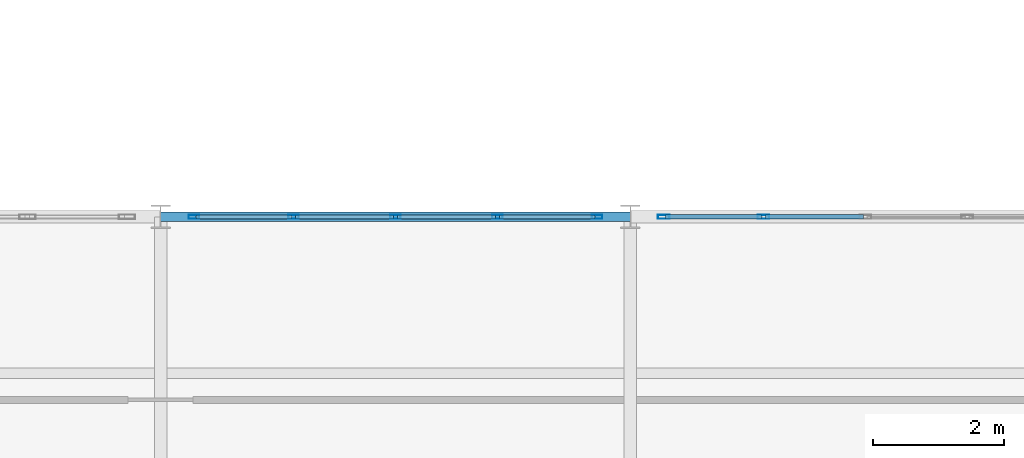
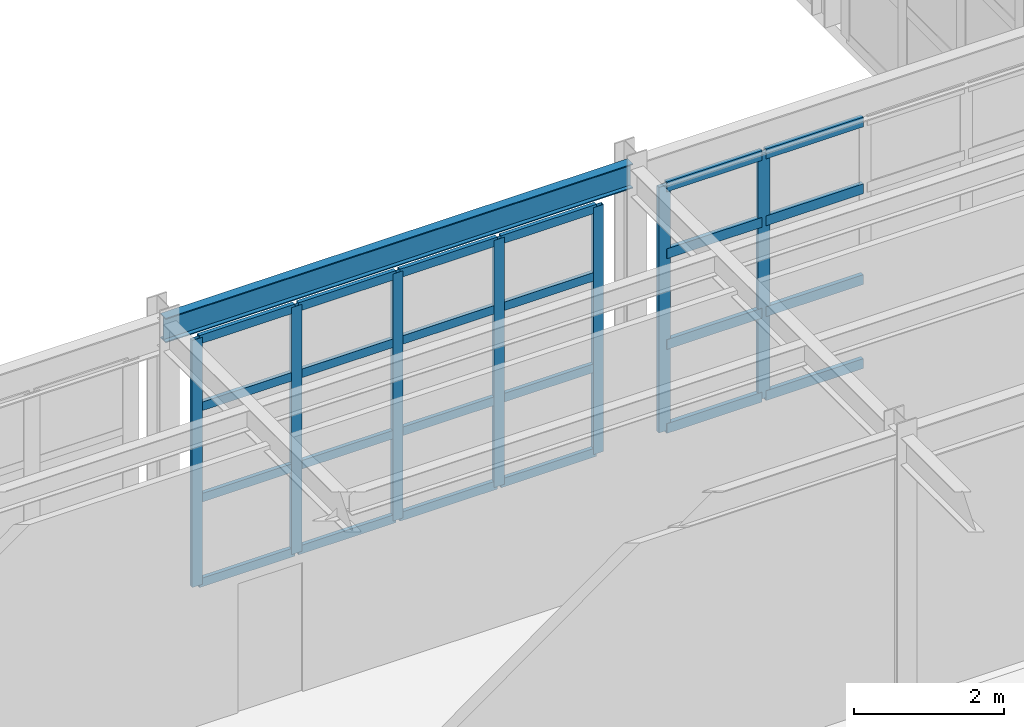
# One storey, part 32 of 121: 31 members, 1 beam, 2 elements without a shape of their own.
"""IFC4 building model written with IfcOpenShell, lengths in metres."""

from ifc_helpers import new_model, si_unit, direction, frame, origin, origin_2d, place, context, subcontext, project, spatial, hollow_rectangle, i_section, extrude, material, layer, layer_set, material_profile, profile_set, type_object, element, aggregate, save


model = new_model("IFC4")

# Units and contexts
model_context = context("Model", 3, precision=1e-05, world=origin(), true_north=direction((0.0, 1.0)))
body_context = subcontext(model_context, "Body", "Model", "MODEL_VIEW")
ifc_project = project(units=[si_unit("LENGTHUNIT", "METRE"), si_unit("AREAUNIT", "SQUARE_METRE"), si_unit("VOLUMEUNIT", "CUBIC_METRE"), si_unit("PLANEANGLEUNIT", "RADIAN"), si_unit("MASSUNIT", "GRAM", prefix="KILO")], contexts=[model_context])

# Site, building, storey
site_placement = place(None, origin())
site = spatial("IfcSite", under=ifc_project, at=site_placement, CompositionType="ELEMENT")
building_placement = place(site_placement, origin())
building = spatial("IfcBuilding", under=site, at=building_placement, Name="Solvadek Multi-Sports Hall", CompositionType="ELEMENT")
storey_placement = place(building_placement, frame((0.0, 0.0, 4.800048828125)))
storey = spatial("IfcBuildingStorey", under=building, at=storey_placement, Name="L01", CompositionType="ELEMENT", Elevation=4.800048828125)

# Curtain wall, members
ifc_material_1 = material(Name="Anodised aluminium", Category="aluminium")
ifc_layer_1 = layer(ifc_material_1, 0.159912109375, Name="Anodised aluminium")
ifc_layer_set_1 = layer_set([ifc_layer_1], Name="Anodised aluminium")
curtain_wall_type_1 = type_object("IfcCurtainWallType", Name="ENV-CW-624X402", PredefinedType="USERDEFINED", material=ifc_layer_set_1)
curtain_wall_1_placement = place(storey_placement, origin())
curtain_wall_1 = element("IfcCurtainWall", 1, at=curtain_wall_1_placement, inside=storey, type_object=curtain_wall_type_1, Name="L01 Perimeter Bay Curtain Wall #169", ObjectType="CURTAIN WALL", PredefinedType="USERDEFINED")
ifc_material_profile_1 = material_profile(ifc_material_1, hollow_rectangle(XDim=0.06005859375, YDim=0.159912109375, WallThickness=0.00390625, at=origin_2d()), Name="ALU-M 160x60x4")
ifc_profile_set_1 = profile_set([ifc_material_profile_1], Name="Anodised aluminium")
member_type_1 = type_object("IfcMemberType", Name="ENV-CWM-01", PredefinedType="MULLION", material=ifc_profile_set_1)
member_1_placement = place(storey_placement, frame((43.7099609375, 20.39990234375, 0.0), z_axis=(0.0, 0.0, 1.0), x_axis=(0.0, 1.0, 0.0)))
member_1 = element("IfcMember", 2, at=member_1_placement, type_object=member_type_1, Name="CW-55 mullion 1", PredefinedType="MULLION", context=body_context, shape_type="SweptSolid", body=[
    extrude(hollow_rectangle(XDim=0.06005859375, YDim=0.159912109375, WallThickness=0.00390625, at=origin_2d()), origin(), (0.0, 0.0, 1.0), 4.02490234375),
])
member_2_placement = place(storey_placement, frame((45.239990234375, 20.39990234375, 0.0), z_axis=(0.0, 0.0, 1.0), x_axis=(0.0, 1.0, 0.0)))
member_2 = element("IfcMember", 3, at=member_2_placement, type_object=member_type_1, Name="CW-55 mullion 2", PredefinedType="MULLION", context=body_context, shape_type="SweptSolid", body=[
    extrude(hollow_rectangle(XDim=0.06005859375, YDim=0.159912109375, WallThickness=0.00390625, at=origin_2d()), origin(), (0.0, 0.0, 1.0), 4.02490234375),
])
member_3_placement = place(storey_placement, frame((46.800048828125, 20.39990234375, 0.0), z_axis=(0.0, 0.0, 1.0), x_axis=(0.0, 1.0, 0.0)))
member_3 = element("IfcMember", 4, at=member_3_placement, type_object=member_type_1, Name="CW-55 mullion 3", PredefinedType="MULLION", context=body_context, shape_type="SweptSolid", body=[
    extrude(hollow_rectangle(XDim=0.06005859375, YDim=0.159912109375, WallThickness=0.00390625, at=origin_2d()), origin(), (0.0, 0.0, 1.0), 4.02490234375),
])
member_4_placement = place(storey_placement, frame((48.360107421875, 20.39990234375, 0.0), z_axis=(0.0, 0.0, 1.0), x_axis=(0.0, 1.0, 0.0)))
member_4 = element("IfcMember", 5, at=member_4_placement, type_object=member_type_1, Name="CW-55 mullion 4", PredefinedType="MULLION", context=body_context, shape_type="SweptSolid", body=[
    extrude(hollow_rectangle(XDim=0.06005859375, YDim=0.159912109375, WallThickness=0.00390625, at=origin_2d()), origin(), (0.0, 0.0, 1.0), 4.02490234375),
])
member_5_placement = place(storey_placement, frame((49.889892578125, 20.39990234375, 0.0), z_axis=(0.0, 0.0, 1.0), x_axis=(0.0, 1.0, 0.0)))
member_5 = element("IfcMember", 6, at=member_5_placement, type_object=member_type_1, Name="CW-55 mullion 5", PredefinedType="MULLION", context=body_context, shape_type="SweptSolid", body=[
    extrude(hollow_rectangle(XDim=0.06005859375, YDim=0.159912109375, WallThickness=0.00390625, at=origin_2d()), origin(), (0.0, 0.0, 1.0), 4.02490234375),
])

ifc_layer_2 = layer(ifc_material_1, 0.159912109375, Name="Anodised aluminium")
ifc_layer_set_2 = layer_set([ifc_layer_2], Name="Anodised aluminium")
curtain_wall_type_2 = type_object("IfcCurtainWallType", Name="ENV-CW-624X400", PredefinedType="USERDEFINED", material=ifc_layer_set_2)
curtain_wall_2_placement = place(storey_placement, origin())
curtain_wall_2 = element("IfcCurtainWall", 7, at=curtain_wall_2_placement, inside=storey, type_object=curtain_wall_type_2, Name="L01 Perimeter Bay Curtain Wall #175", ObjectType="CURTAIN WALL", PredefinedType="USERDEFINED")
ifc_material_profile_2 = material_profile(ifc_material_1, hollow_rectangle(XDim=0.06005859375, YDim=0.179931640625, WallThickness=0.00390625, at=origin_2d()), Name="ALU-M 180x60x4")
ifc_profile_set_2 = profile_set([ifc_material_profile_2], Name="Anodised aluminium")
member_type_2 = type_object("IfcMemberType", Name="ENV-CWM-02", PredefinedType="MULLION", material=ifc_profile_set_2)
member_6_placement = place(storey_placement, frame((50.909912109375, 20.39990234375, 0.0), z_axis=(0.0, 0.0, 1.0), x_axis=(0.0, 1.0, 0.0)))
member_6 = element("IfcMember", 8, at=member_6_placement, type_object=member_type_2, Name="CW-56 mullion 1", PredefinedType="MULLION", context=body_context, shape_type="SweptSolid", body=[
    extrude(hollow_rectangle(XDim=0.06005859375, YDim=0.179931640625, WallThickness=0.00390625, at=origin_2d()), origin(), (0.0, 0.0, 1.0), 4.0),
])
member_7_placement = place(storey_placement, frame((52.43994140625, 20.39990234375, 0.0), z_axis=(0.0, 0.0, 1.0), x_axis=(0.0, 1.0, 0.0)))
member_7 = element("IfcMember", 9, at=member_7_placement, type_object=member_type_2, Name="CW-56 mullion 2", PredefinedType="MULLION", context=body_context, shape_type="SweptSolid", body=[
    extrude(hollow_rectangle(XDim=0.06005859375, YDim=0.179931640625, WallThickness=0.00390625, at=origin_2d()), origin(), (0.0, 0.0, 1.0), 4.0),
])

# Member
ifc_material_profile_3 = material_profile(ifc_material_1, hollow_rectangle(XDim=0.06005859375, YDim=0.139892578125, WallThickness=0.00390625, at=origin_2d()), Name="ALU-T 140x60x4")
ifc_profile_set_3 = profile_set([ifc_material_profile_3], Name="Anodised aluminium")
member_type_3 = type_object("IfcMemberType", Name="ENV-CWT-02", PredefinedType="USERDEFINED", material=ifc_profile_set_3)
member_8_placement = place(storey_placement, frame((43.739990234375, 20.39990234375, 0.030029296875), z_axis=(1.0, 0.0, 0.0), x_axis=(0.0, 1.0, 0.0)))
member_8 = element("IfcMember", 10, at=member_8_placement, type_object=member_type_3, Name="CW-55 transom 1.1", ObjectType="TRANSOM", PredefinedType="USERDEFINED", context=body_context, shape_type="SweptSolid", body=[
    extrude(hollow_rectangle(XDim=0.06005859375, YDim=0.139892578125, WallThickness=0.00390625, at=origin_2d()), origin(), (0.0, 0.0, 1.0), 1.469970703125),
])

member_9_placement = place(storey_placement, frame((43.739990234375, 20.39990234375, 1.408935546875), z_axis=(1.0, 0.0, 0.0), x_axis=(0.0, 1.0, 0.0)))
member_9 = element("IfcMember", 11, at=member_9_placement, type_object=member_type_3, Name="CW-55 transom 1.2", ObjectType="TRANSOM", PredefinedType="USERDEFINED", context=body_context, shape_type="SweptSolid", body=[
    extrude(hollow_rectangle(XDim=0.06005859375, YDim=0.139892578125, WallThickness=0.00390625, at=origin_2d()), origin(), (0.0, 0.0, 1.0), 1.469970703125),
])

member_10_placement = place(storey_placement, frame((43.739990234375, 20.39990234375, 2.89794921875), z_axis=(1.0, 0.0, 0.0), x_axis=(0.0, 1.0, 0.0)))
member_10 = element("IfcMember", 12, at=member_10_placement, type_object=member_type_3, Name="CW-55 transom 1.3", ObjectType="TRANSOM", PredefinedType="USERDEFINED", context=body_context, shape_type="SweptSolid", body=[
    extrude(hollow_rectangle(XDim=0.06005859375, YDim=0.139892578125, WallThickness=0.00390625, at=origin_2d()), origin(), (0.0, 0.0, 1.0), 1.469970703125),
])

member_11_placement = place(storey_placement, frame((43.739990234375, 20.39990234375, 3.994873046875), z_axis=(1.0, 0.0, 0.0), x_axis=(0.0, 1.0, 0.0)))
member_11 = element("IfcMember", 13, at=member_11_placement, type_object=member_type_3, Name="CW-55 transom 1.4", ObjectType="TRANSOM", PredefinedType="USERDEFINED", context=body_context, shape_type="SweptSolid", body=[
    extrude(hollow_rectangle(XDim=0.06005859375, YDim=0.139892578125, WallThickness=0.00390625, at=origin_2d()), origin(), (0.0, 0.0, 1.0), 1.469970703125),
])

member_12_placement = place(storey_placement, frame((45.27001953125, 20.39990234375, 0.030029296875), z_axis=(1.0, 0.0, 0.0), x_axis=(0.0, 1.0, 0.0)))
member_12 = element("IfcMember", 14, at=member_12_placement, type_object=member_type_3, Name="CW-55 transom 2.1", ObjectType="TRANSOM", PredefinedType="USERDEFINED", context=body_context, shape_type="SweptSolid", body=[
    extrude(hollow_rectangle(XDim=0.06005859375, YDim=0.139892578125, WallThickness=0.00390625, at=origin_2d()), origin(), (0.0, 0.0, 1.0), 1.5),
])

member_13_placement = place(storey_placement, frame((45.27001953125, 20.39990234375, 1.408935546875), z_axis=(1.0, 0.0, 0.0), x_axis=(0.0, 1.0, 0.0)))
member_13 = element("IfcMember", 15, at=member_13_placement, type_object=member_type_3, Name="CW-55 transom 2.2", ObjectType="TRANSOM", PredefinedType="USERDEFINED", context=body_context, shape_type="SweptSolid", body=[
    extrude(hollow_rectangle(XDim=0.06005859375, YDim=0.139892578125, WallThickness=0.00390625, at=origin_2d()), origin(), (0.0, 0.0, 1.0), 1.5),
])

member_14_placement = place(storey_placement, frame((45.27001953125, 20.39990234375, 2.89794921875), z_axis=(1.0, 0.0, 0.0), x_axis=(0.0, 1.0, 0.0)))
member_14 = element("IfcMember", 16, at=member_14_placement, type_object=member_type_3, Name="CW-55 transom 2.3", ObjectType="TRANSOM", PredefinedType="USERDEFINED", context=body_context, shape_type="SweptSolid", body=[
    extrude(hollow_rectangle(XDim=0.06005859375, YDim=0.139892578125, WallThickness=0.00390625, at=origin_2d()), origin(), (0.0, 0.0, 1.0), 1.5),
])

member_15_placement = place(storey_placement, frame((45.27001953125, 20.39990234375, 3.994873046875), z_axis=(1.0, 0.0, 0.0), x_axis=(0.0, 1.0, 0.0)))
member_15 = element("IfcMember", 17, at=member_15_placement, type_object=member_type_3, Name="CW-55 transom 2.4", ObjectType="TRANSOM", PredefinedType="USERDEFINED", context=body_context, shape_type="SweptSolid", body=[
    extrude(hollow_rectangle(XDim=0.06005859375, YDim=0.139892578125, WallThickness=0.00390625, at=origin_2d()), origin(), (0.0, 0.0, 1.0), 1.5),
])

member_16_placement = place(storey_placement, frame((46.830078125, 20.39990234375, 0.030029296875), z_axis=(1.0, 0.0, 0.0), x_axis=(0.0, 1.0, 0.0)))
member_16 = element("IfcMember", 18, at=member_16_placement, type_object=member_type_3, Name="CW-55 transom 3.1", ObjectType="TRANSOM", PredefinedType="USERDEFINED", context=body_context, shape_type="SweptSolid", body=[
    extrude(hollow_rectangle(XDim=0.06005859375, YDim=0.139892578125, WallThickness=0.00390625, at=origin_2d()), origin(), (0.0, 0.0, 1.0), 1.5),
])

member_17_placement = place(storey_placement, frame((46.830078125, 20.39990234375, 1.408935546875), z_axis=(1.0, 0.0, 0.0), x_axis=(0.0, 1.0, 0.0)))
member_17 = element("IfcMember", 19, at=member_17_placement, type_object=member_type_3, Name="CW-55 transom 3.2", ObjectType="TRANSOM", PredefinedType="USERDEFINED", context=body_context, shape_type="SweptSolid", body=[
    extrude(hollow_rectangle(XDim=0.06005859375, YDim=0.139892578125, WallThickness=0.00390625, at=origin_2d()), origin(), (0.0, 0.0, 1.0), 1.5),
])

member_18_placement = place(storey_placement, frame((46.830078125, 20.39990234375, 2.89794921875), z_axis=(1.0, 0.0, 0.0), x_axis=(0.0, 1.0, 0.0)))
member_18 = element("IfcMember", 20, at=member_18_placement, type_object=member_type_3, Name="CW-55 transom 3.3", ObjectType="TRANSOM", PredefinedType="USERDEFINED", context=body_context, shape_type="SweptSolid", body=[
    extrude(hollow_rectangle(XDim=0.06005859375, YDim=0.139892578125, WallThickness=0.00390625, at=origin_2d()), origin(), (0.0, 0.0, 1.0), 1.5),
])

member_19_placement = place(storey_placement, frame((46.830078125, 20.39990234375, 3.994873046875), z_axis=(1.0, 0.0, 0.0), x_axis=(0.0, 1.0, 0.0)))
member_19 = element("IfcMember", 21, at=member_19_placement, type_object=member_type_3, Name="CW-55 transom 3.4", ObjectType="TRANSOM", PredefinedType="USERDEFINED", context=body_context, shape_type="SweptSolid", body=[
    extrude(hollow_rectangle(XDim=0.06005859375, YDim=0.139892578125, WallThickness=0.00390625, at=origin_2d()), origin(), (0.0, 0.0, 1.0), 1.5),
])

member_20_placement = place(storey_placement, frame((48.389892578125, 20.39990234375, 0.030029296875), z_axis=(1.0, 0.0, 0.0), x_axis=(0.0, 1.0, 0.0)))
member_20 = element("IfcMember", 22, at=member_20_placement, type_object=member_type_3, Name="CW-55 transom 4.1", ObjectType="TRANSOM", PredefinedType="USERDEFINED", context=body_context, shape_type="SweptSolid", body=[
    extrude(hollow_rectangle(XDim=0.06005859375, YDim=0.139892578125, WallThickness=0.00390625, at=origin_2d()), origin(), (0.0, 0.0, 1.0), 1.47021484375),
])

member_21_placement = place(storey_placement, frame((48.389892578125, 20.39990234375, 1.408935546875), z_axis=(1.0, 0.0, 0.0), x_axis=(0.0, 1.0, 0.0)))
member_21 = element("IfcMember", 23, at=member_21_placement, type_object=member_type_3, Name="CW-55 transom 4.2", ObjectType="TRANSOM", PredefinedType="USERDEFINED", context=body_context, shape_type="SweptSolid", body=[
    extrude(hollow_rectangle(XDim=0.06005859375, YDim=0.139892578125, WallThickness=0.00390625, at=origin_2d()), origin(), (0.0, 0.0, 1.0), 1.47021484375),
])

member_22_placement = place(storey_placement, frame((48.389892578125, 20.39990234375, 2.89794921875), z_axis=(1.0, 0.0, 0.0), x_axis=(0.0, 1.0, 0.0)))
member_22 = element("IfcMember", 24, at=member_22_placement, type_object=member_type_3, Name="CW-55 transom 4.3", ObjectType="TRANSOM", PredefinedType="USERDEFINED", context=body_context, shape_type="SweptSolid", body=[
    extrude(hollow_rectangle(XDim=0.06005859375, YDim=0.139892578125, WallThickness=0.00390625, at=origin_2d()), origin(), (0.0, 0.0, 1.0), 1.47021484375),
])

member_23_placement = place(storey_placement, frame((48.389892578125, 20.39990234375, 3.994873046875), z_axis=(1.0, 0.0, 0.0), x_axis=(0.0, 1.0, 0.0)))
member_23 = element("IfcMember", 25, at=member_23_placement, type_object=member_type_3, Name="CW-55 transom 4.4", ObjectType="TRANSOM", PredefinedType="USERDEFINED", context=body_context, shape_type="SweptSolid", body=[
    extrude(hollow_rectangle(XDim=0.06005859375, YDim=0.139892578125, WallThickness=0.00390625, at=origin_2d()), origin(), (0.0, 0.0, 1.0), 1.47021484375),
])

aggregate(curtain_wall_1, [member_1, member_2, member_3, member_4, member_5, member_8, member_9, member_10, member_11, member_12, member_13, member_14, member_15, member_16, member_17, member_18, member_19, member_20, member_21, member_22, member_23])

ifc_material_profile_4 = material_profile(ifc_material_1, hollow_rectangle(XDim=0.06494140625, YDim=0.159912109375, WallThickness=0.00390625, at=origin_2d()), Name="ALU-T 160x65x4")
ifc_profile_set_4 = profile_set([ifc_material_profile_4], Name="Anodised aluminium")
member_type_4 = type_object("IfcMemberType", Name="ENV-CWT-03", PredefinedType="USERDEFINED", material=ifc_profile_set_4)
member_24_placement = place(storey_placement, frame((50.93994140625, 20.39990234375, 0.032470703125), z_axis=(1.0, 0.0, 0.0), x_axis=(0.0, 1.0, 0.0)))
member_24 = element("IfcMember", 26, at=member_24_placement, type_object=member_type_4, Name="CW-56 transom 1.1", ObjectType="TRANSOM", PredefinedType="USERDEFINED", context=body_context, shape_type="SweptSolid", body=[
    extrude(hollow_rectangle(XDim=0.06494140625, YDim=0.159912109375, WallThickness=0.00390625, at=origin_2d()), origin(), (0.0, 0.0, 1.0), 1.469970703125),
])

member_25_placement = place(storey_placement, frame((50.93994140625, 20.39990234375, 1.39990234375), z_axis=(1.0, 0.0, 0.0), x_axis=(0.0, 1.0, 0.0)))
member_25 = element("IfcMember", 27, at=member_25_placement, type_object=member_type_4, Name="CW-56 transom 1.2", ObjectType="TRANSOM", PredefinedType="USERDEFINED", context=body_context, shape_type="SweptSolid", body=[
    extrude(hollow_rectangle(XDim=0.06494140625, YDim=0.159912109375, WallThickness=0.00390625, at=origin_2d()), origin(), (0.0, 0.0, 1.0), 1.469970703125),
])

member_26_placement = place(storey_placement, frame((50.93994140625, 20.39990234375, 2.8798828125), z_axis=(1.0, 0.0, 0.0), x_axis=(0.0, 1.0, 0.0)))
member_26 = element("IfcMember", 28, at=member_26_placement, type_object=member_type_4, Name="CW-56 transom 1.3", ObjectType="TRANSOM", PredefinedType="USERDEFINED", context=body_context, shape_type="SweptSolid", body=[
    extrude(hollow_rectangle(XDim=0.06494140625, YDim=0.159912109375, WallThickness=0.00390625, at=origin_2d()), origin(), (0.0, 0.0, 1.0), 1.469970703125),
])

member_27_placement = place(storey_placement, frame((50.93994140625, 20.39990234375, 3.967529296875), z_axis=(1.0, 0.0, 0.0), x_axis=(0.0, 1.0, 0.0)))
member_27 = element("IfcMember", 29, at=member_27_placement, type_object=member_type_4, Name="CW-56 transom 1.4", ObjectType="TRANSOM", PredefinedType="USERDEFINED", context=body_context, shape_type="SweptSolid", body=[
    extrude(hollow_rectangle(XDim=0.06494140625, YDim=0.159912109375, WallThickness=0.00390625, at=origin_2d()), origin(), (0.0, 0.0, 1.0), 1.469970703125),
])

member_28_placement = place(storey_placement, frame((52.469970703125, 20.39990234375, 0.032470703125), z_axis=(1.0, 0.0, 0.0), x_axis=(0.0, 1.0, 0.0)))
member_28 = element("IfcMember", 30, at=member_28_placement, type_object=member_type_4, Name="CW-56 transom 2.1", ObjectType="TRANSOM", PredefinedType="USERDEFINED", context=body_context, shape_type="SweptSolid", body=[
    extrude(hollow_rectangle(XDim=0.06494140625, YDim=0.159912109375, WallThickness=0.00390625, at=origin_2d()), origin(), (0.0, 0.0, 1.0), 1.5),
])

member_29_placement = place(storey_placement, frame((52.469970703125, 20.39990234375, 1.39990234375), z_axis=(1.0, 0.0, 0.0), x_axis=(0.0, 1.0, 0.0)))
member_29 = element("IfcMember", 31, at=member_29_placement, type_object=member_type_4, Name="CW-56 transom 2.2", ObjectType="TRANSOM", PredefinedType="USERDEFINED", context=body_context, shape_type="SweptSolid", body=[
    extrude(hollow_rectangle(XDim=0.06494140625, YDim=0.159912109375, WallThickness=0.00390625, at=origin_2d()), origin(), (0.0, 0.0, 1.0), 1.5),
])

member_30_placement = place(storey_placement, frame((52.469970703125, 20.39990234375, 2.8798828125), z_axis=(1.0, 0.0, 0.0), x_axis=(0.0, 1.0, 0.0)))
member_30 = element("IfcMember", 32, at=member_30_placement, type_object=member_type_4, Name="CW-56 transom 2.3", ObjectType="TRANSOM", PredefinedType="USERDEFINED", context=body_context, shape_type="SweptSolid", body=[
    extrude(hollow_rectangle(XDim=0.06494140625, YDim=0.159912109375, WallThickness=0.00390625, at=origin_2d()), origin(), (0.0, 0.0, 1.0), 1.5),
])

member_31_placement = place(storey_placement, frame((52.469970703125, 20.39990234375, 3.967529296875), z_axis=(1.0, 0.0, 0.0), x_axis=(0.0, 1.0, 0.0)))
member_31 = element("IfcMember", 33, at=member_31_placement, type_object=member_type_4, Name="CW-56 transom 2.4", ObjectType="TRANSOM", PredefinedType="USERDEFINED", context=body_context, shape_type="SweptSolid", body=[
    extrude(hollow_rectangle(XDim=0.06494140625, YDim=0.159912109375, WallThickness=0.00390625, at=origin_2d()), origin(), (0.0, 0.0, 1.0), 1.5),
])

aggregate(curtain_wall_2, [member_6, member_7, member_24, member_25, member_26, member_27, member_28, member_29, member_30, member_31])

# Beam
ifc_material_2 = material(Name="Steel E350 (350 MPa)", Category="steel")
ifc_material_profile_5 = material_profile(ifc_material_2, i_section(OverallWidth=0.139892578125, OverallDepth=0.39990234375, WebThickness=0.0087890625, FlangeThickness=0.01611328125, at=origin_2d()), Name="ISMB 400")
ifc_profile_set_5 = profile_set([ifc_material_profile_5], Name="Steel E350 (350 MPa)")
beam_type = type_object("IfcBeamType", Name="STR-BM-ISMB400", PredefinedType="BEAM", material=ifc_profile_set_5)
beam_placement = place(storey_placement, frame((43.199951171875, 20.39990234375, 4.35986328125), z_axis=(1.0, 0.0, 0.0), x_axis=(0.0, 1.0, 0.0)))
element("IfcBeam", 34, at=beam_placement, inside=storey, type_object=beam_type, Name="L01 Girder B-10 #974", PredefinedType="BEAM", context=body_context, shape_type="SweptSolid", body=[
    extrude(i_section(OverallWidth=0.139892578125, OverallDepth=0.39990234375, WebThickness=0.0087890625, FlangeThickness=0.01611328125, at=origin_2d()), origin(), (0.0, 0.0, 1.0), 7.199951171875),
])

save(model, "model.ifc")
